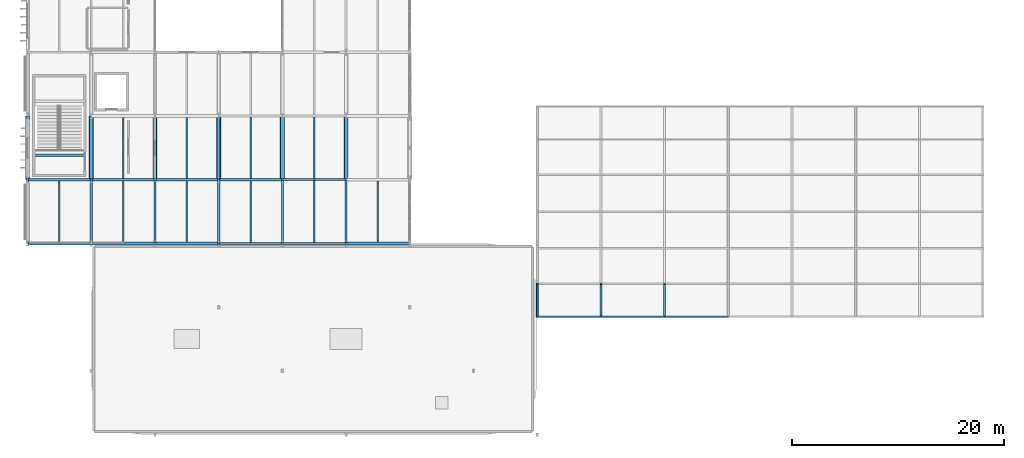
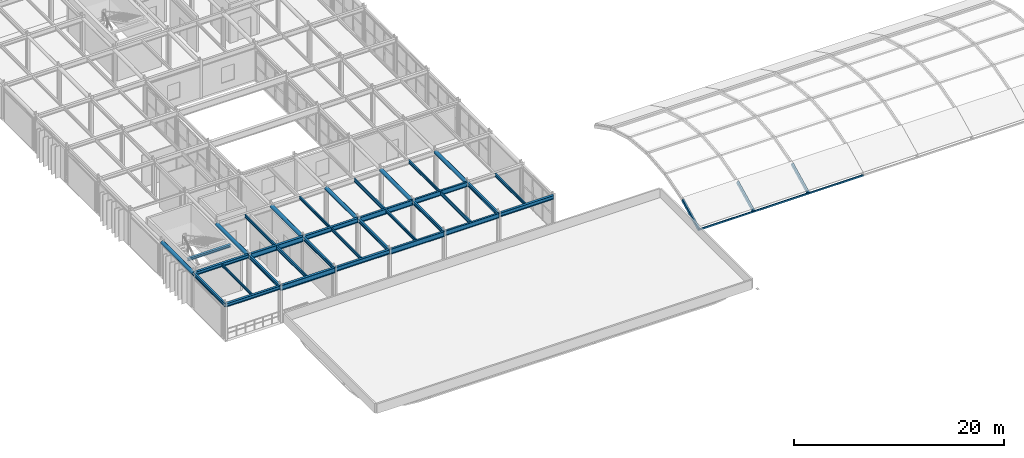
# One storey, part 22 of 84: 37 beams, 3 members.
"""IFC4 building model written with IfcOpenShell, lengths in metres."""

from ifc_helpers import new_model, si_unit, direction, frame, origin, origin_2d, place, context, subcontext, project, spatial, hollow_rectangle, hollow_circle, i_section, extrude, material, material_profile, profile_set, type_object, element, save


model = new_model("IFC4")

# Units and contexts
model_context = context("Model", 3, precision=1e-05, world=origin(), true_north=direction((0.0, 1.0)))
body_context = subcontext(model_context, "Body", "Model", "MODEL_VIEW")
ifc_project = project(units=[si_unit("LENGTHUNIT", "METRE"), si_unit("AREAUNIT", "SQUARE_METRE"), si_unit("VOLUMEUNIT", "CUBIC_METRE"), si_unit("PLANEANGLEUNIT", "RADIAN"), si_unit("MASSUNIT", "GRAM", prefix="KILO")], contexts=[model_context])

# Site, building, storey
site_placement = place(None, origin())
site = spatial("IfcSite", under=ifc_project, at=site_placement, CompositionType="ELEMENT")
building_placement = place(site_placement, origin())
building = spatial("IfcBuilding", under=site, at=building_placement, Name="Varnakota Square Police Headquarters", CompositionType="ELEMENT")
storey_placement = place(building_placement, frame((0.0, 0.0, 13.5)))
storey = spatial("IfcBuildingStorey", under=building, at=storey_placement, Name="L03", CompositionType="ELEMENT", Elevation=13.5)

# Beams
ifc_material = material(Name="Steel IS 2062 Grade 350", Category="steel")
ifc_material_profile_1 = material_profile(ifc_material, hollow_circle(Radius=0.203125, WallThickness=0.01611328125, at=origin_2d()), Name="CHS 406.4x16.0")
ifc_profile_set_1 = profile_set([ifc_material_profile_1], Name="Steel IS 2062 Grade 350")
beam_type_1 = type_object("IfcBeamType", Name="BM-ARC-CHS406", PredefinedType="BEAM", material=ifc_profile_set_1)
for number, where, z_axis, x_axis, name in (
    (1, (6.0, 27.0, 3.996826171875), (0.0, 1.0, 0.0), (-1.0, 0.0, 0.0), "BMG-L03-2596"),
    (2, (12.0, 27.0, 3.996826171875), (0.0, 1.0, 0.0), (-1.0, 0.0, 0.0), "BMG-L03-2610"),
    (3, (18.0, 27.0, 3.996826171875), (0.0, 1.0, 0.0), (-1.0, 0.0, 0.0), "BMG-L03-2620"),
    (4, (24.0, 27.0, 3.996826171875), (0.0, 1.0, 0.0), (-1.0, 0.0, 0.0), "BMG-L03-2630"),
    (5, (30.0, 27.0, 3.996826171875), (0.0, 1.0, 0.0), (-1.0, 0.0, 0.0), "BMG-L03-2635"),
    (6, (36.0, 27.0, 3.996826171875), (0.0, 1.0, 0.0), (-1.0, 0.0, 0.0), "BMG-L03-2645"),
):
    element("IfcBeam", number, at=place(storey_placement, frame(where, z_axis=z_axis, x_axis=x_axis)), inside=storey, type_object=beam_type_1, Name=name, PredefinedType="BEAM", context=body_context, shape_type="SweptSolid", body=[
        extrude(hollow_circle(Radius=0.203125, WallThickness=0.01611328125, at=origin_2d()), origin(), (0.0, 0.0, 1.0), 6.0),
    ])
ifc_material_profile_2 = material_profile(ifc_material, i_section(OverallWidth=0.25, OverallDepth=0.300048828125, WebThickness=0.009521484375, FlangeThickness=0.010498046875, FilletRadius=0.011962890625, at=origin_2d()), Name="ISHB 300")
ifc_profile_set_2 = profile_set([ifc_material_profile_2], Name="Steel IS 2062 Grade 350")
beam_type_2 = type_object("IfcBeamType", Name="BM-ISHB300", PredefinedType="BEAM", material=ifc_profile_set_2)
beam_1_placement = place(storey_placement, frame((6.60009765625, 29.300048828125, 4.050048828125), z_axis=(1.0, 0.0, 0.0), x_axis=(0.0, 1.0, 0.0)))
element("IfcBeam", 7, at=beam_1_placement, inside=storey, type_object=beam_type_2, Name="Stair landing support beam BM-LND-0054", PredefinedType="BEAM", context=body_context, shape_type="SweptSolid", body=[
    extrude(i_section(OverallWidth=0.25, OverallDepth=0.300048828125, WebThickness=0.009521484375, FlangeThickness=0.010498046875, FilletRadius=0.011962890625, at=origin_2d()), origin(), (0.0, 0.0, 1.0), 4.7998046875),
])
ifc_material_profile_3 = material_profile(ifc_material, i_section(OverallWidth=0.25, OverallDepth=0.39990234375, WebThickness=0.010498046875, FlangeThickness=0.0126953125, FilletRadius=0.013916015625, at=origin_2d()), Name="ISHB 400")
ifc_profile_set_3 = profile_set([ifc_material_profile_3], Name="Steel IS 2062 Grade 350")
beam_type_3 = type_object("IfcBeamType", Name="BM-ISHB400", PredefinedType="BEAM", material=ifc_profile_set_3)
for number, where, z_axis, x_axis, name in (
    (8, (6.0, 21.0, 4.0), (1.0, 0.0, 0.0), (0.0, 1.0, 0.0), "BMG-L03-2445"),
    (9, (6.0, 27.0, 4.0), (1.0, 0.0, 0.0), (0.0, 1.0, 0.0), "BMG-L03-2455"),
):
    element("IfcBeam", number, at=place(storey_placement, frame(where, z_axis=z_axis, x_axis=x_axis)), inside=storey, type_object=beam_type_3, Name=name, PredefinedType="BEAM", context=body_context, shape_type="SweptSolid", body=[
        extrude(i_section(OverallWidth=0.25, OverallDepth=0.39990234375, WebThickness=0.010498046875, FlangeThickness=0.0126953125, FilletRadius=0.013916015625, at=origin_2d()), origin(), (0.0, 0.0, 1.0), 6.0),
    ])
ifc_material_profile_4 = material_profile(ifc_material, i_section(OverallWidth=0.25, OverallDepth=0.449951171875, WebThickness=0.01123046875, FlangeThickness=0.013671875, FilletRadius=0.014892578125, at=origin_2d()), Name="ISHB 450")
ifc_profile_set_4 = profile_set([ifc_material_profile_4], Name="Steel IS 2062 Grade 350")
beam_type_4 = type_object("IfcBeamType", Name="BM-ISHB450", PredefinedType="BEAM", material=ifc_profile_set_4)
beam_2_placement = place(storey_placement, frame((36.0, 21.0, 3.97509765625), z_axis=(1.0, 0.0, 0.0), x_axis=(0.0, 1.0, 0.0)))
element("IfcBeam", 10, at=beam_2_placement, inside=storey, type_object=beam_type_4, Name="BMG-L03-2450", PredefinedType="BEAM", context=body_context, shape_type="SweptSolid", body=[
    extrude(i_section(OverallWidth=0.25, OverallDepth=0.449951171875, WebThickness=0.01123046875, FlangeThickness=0.013671875, FilletRadius=0.014892578125, at=origin_2d()), origin(), (0.0, 0.0, 1.0), 6.0),
])
ifc_material_profile_5 = material_profile(ifc_material, i_section(OverallWidth=0.139892578125, OverallDepth=0.300048828125, WebThickness=0.0078125, FlangeThickness=0.01318359375, FilletRadius=0.013916015625, at=origin_2d()), Name="ISMB 300")
ifc_profile_set_5 = profile_set([ifc_material_profile_5], Name="Steel IS 2062 Grade 350")
beam_type_5 = type_object("IfcBeamType", Name="BM-ISMB300", PredefinedType="JOIST", material=ifc_profile_set_5)
for number, where, z_axis, x_axis, name in (
    (11, (9.0, 21.123046875, 4.050048828125), (0.0, 1.0, 0.0), (-1.0, 0.0, 0.0), "BMG-L03-2758"),
    (12, (21.0, 27.123046875, 4.050048828125), (0.0, 1.0, 0.0), (-1.0, 0.0, 0.0), "BMG-L03-2774"),
):
    element("IfcBeam", number, at=place(storey_placement, frame(where, z_axis=z_axis, x_axis=x_axis)), inside=storey, type_object=beam_type_5, Name=name, PredefinedType="JOIST", context=body_context, shape_type="SweptSolid", body=[
        extrude(i_section(OverallWidth=0.139892578125, OverallDepth=0.300048828125, WebThickness=0.0078125, FlangeThickness=0.01318359375, FilletRadius=0.013916015625, at=origin_2d()), origin(), (0.0, 0.0, 1.0), 5.75390625),
    ])
beam_3_placement = place(storey_placement, frame((27.0, 21.10302734375, 4.050048828125), z_axis=(0.0, 1.0, 0.0), x_axis=(-1.0, 0.0, 0.0)))
element("IfcBeam", 13, at=beam_3_placement, inside=storey, type_object=beam_type_5, Name="BMG-L03-2777", PredefinedType="JOIST", context=body_context, shape_type="SweptSolid", body=[
    extrude(i_section(OverallWidth=0.139892578125, OverallDepth=0.300048828125, WebThickness=0.0078125, FlangeThickness=0.01318359375, FilletRadius=0.013916015625, at=origin_2d()), origin(), (0.0, 0.0, 1.0), 5.7939453125),
])
ifc_material_profile_6 = material_profile(ifc_material, i_section(OverallWidth=0.139892578125, OverallDepth=0.35009765625, WebThickness=0.008056640625, FlangeThickness=0.01416015625, FilletRadius=0.013916015625, at=origin_2d()), Name="ISMB 350")
ifc_profile_set_6 = profile_set([ifc_material_profile_6], Name="Steel IS 2062 Grade 350")
beam_type_6 = type_object("IfcBeamType", Name="BM-ISMB350", PredefinedType="JOIST", material=ifc_profile_set_6)
for number, where, z_axis, x_axis, name in (
    (14, (15.0, 27.123046875, 4.02490234375), (0.0, 1.0, 0.0), (-1.0, 0.0, 0.0), "BMG-L03-2766"),
    (15, (21.0, 21.123046875, 4.02490234375), (0.0, 1.0, 0.0), (-1.0, 0.0, 0.0), "BMG-L03-2773"),
):
    element("IfcBeam", number, at=place(storey_placement, frame(where, z_axis=z_axis, x_axis=x_axis)), inside=storey, type_object=beam_type_6, Name=name, PredefinedType="JOIST", context=body_context, shape_type="SweptSolid", body=[
        extrude(i_section(OverallWidth=0.139892578125, OverallDepth=0.35009765625, WebThickness=0.008056640625, FlangeThickness=0.01416015625, FilletRadius=0.013916015625, at=origin_2d()), origin(), (0.0, 0.0, 1.0), 5.75390625),
    ])
beam_4_placement = place(storey_placement, frame((33.0, 27.093017578125, 4.02490234375), z_axis=(0.0, 1.0, 0.0), x_axis=(-1.0, 0.0, 0.0)))
element("IfcBeam", 16, at=beam_4_placement, inside=storey, type_object=beam_type_6, Name="BMG-L03-2783", PredefinedType="JOIST", context=body_context, shape_type="SweptSolid", body=[
    extrude(i_section(OverallWidth=0.139892578125, OverallDepth=0.35009765625, WebThickness=0.008056640625, FlangeThickness=0.01416015625, FilletRadius=0.013916015625, at=origin_2d()), origin(), (0.0, 0.0, 1.0), 5.81396484375),
])
beam_5_placement = place(storey_placement, frame((39.0, 21.123046875, 4.02490234375), z_axis=(0.0, 1.0, 0.0), x_axis=(-1.0, 0.0, 0.0)))
element("IfcBeam", 17, at=beam_5_placement, inside=storey, type_object=beam_type_6, Name="BMG-L03-2790", PredefinedType="JOIST", context=body_context, shape_type="SweptSolid", body=[
    extrude(i_section(OverallWidth=0.139892578125, OverallDepth=0.35009765625, WebThickness=0.008056640625, FlangeThickness=0.01416015625, FilletRadius=0.013916015625, at=origin_2d()), origin(), (0.0, 0.0, 1.0), 5.75390625),
])
ifc_material_profile_7 = material_profile(ifc_material, i_section(OverallWidth=0.139892578125, OverallDepth=0.39990234375, WebThickness=0.0087890625, FlangeThickness=0.01611328125, FilletRadius=0.013916015625, at=origin_2d()), Name="ISMB 400")
ifc_profile_set_7 = profile_set([ifc_material_profile_7], Name="Steel IS 2062 Grade 350")
beam_type_7 = type_object("IfcBeamType", Name="BM-ISMB400", PredefinedType="JOIST", material=ifc_profile_set_7)
beam_6_placement = place(storey_placement, frame((15.0, 21.123046875, 4.0), z_axis=(0.0, 1.0, 0.0), x_axis=(-1.0, 0.0, 0.0)))
element("IfcBeam", 18, at=beam_6_placement, inside=storey, type_object=beam_type_7, Name="BMG-L03-2765", PredefinedType="JOIST", context=body_context, shape_type="SweptSolid", body=[
    extrude(i_section(OverallWidth=0.139892578125, OverallDepth=0.39990234375, WebThickness=0.0087890625, FlangeThickness=0.01611328125, FilletRadius=0.013916015625, at=origin_2d()), origin(), (0.0, 0.0, 1.0), 5.75390625),
])
beam_7_placement = place(storey_placement, frame((27.0, 27.10302734375, 4.0), z_axis=(0.0, 1.0, 0.0), x_axis=(-1.0, 0.0, 0.0)))
element("IfcBeam", 19, at=beam_7_placement, inside=storey, type_object=beam_type_7, Name="BMG-L03-2778", PredefinedType="JOIST", context=body_context, shape_type="SweptSolid", body=[
    extrude(i_section(OverallWidth=0.139892578125, OverallDepth=0.39990234375, WebThickness=0.0087890625, FlangeThickness=0.01611328125, FilletRadius=0.013916015625, at=origin_2d()), origin(), (0.0, 0.0, 1.0), 5.7939453125),
])
beam_8_placement = place(storey_placement, frame((33.0, 21.093017578125, 4.0), z_axis=(0.0, 1.0, 0.0), x_axis=(-1.0, 0.0, 0.0)))
element("IfcBeam", 20, at=beam_8_placement, inside=storey, type_object=beam_type_7, Name="BMG-L03-2782", PredefinedType="JOIST", context=body_context, shape_type="SweptSolid", body=[
    extrude(i_section(OverallWidth=0.139892578125, OverallDepth=0.39990234375, WebThickness=0.0087890625, FlangeThickness=0.01611328125, FilletRadius=0.013916015625, at=origin_2d()), origin(), (0.0, 0.0, 1.0), 5.81396484375),
])
ifc_material_profile_8 = material_profile(ifc_material, i_section(OverallWidth=0.18994140625, OverallDepth=0.550048828125, WebThickness=0.01123046875, FlangeThickness=0.019287109375, FilletRadius=0.01806640625, at=origin_2d()), Name="ISMB 550")
ifc_profile_set_8 = profile_set([ifc_material_profile_8], Name="Steel IS 2062 Grade 350")
beam_type_8 = type_object("IfcBeamType", Name="BM-ISMB550", PredefinedType="BEAM", material=ifc_profile_set_8)
for number, where, z_axis, x_axis, name in (
    (21, (30.0, 21.0, 3.925048828125), (1.0, 0.0, 0.0), (0.0, 1.0, 0.0), "BMG-L03-2449"),
    (22, (30.0, 27.0, 3.925048828125), (1.0, 0.0, 0.0), (0.0, 1.0, 0.0), "BMG-L03-2459"),
):
    element("IfcBeam", number, at=place(storey_placement, frame(where, z_axis=z_axis, x_axis=x_axis)), inside=storey, type_object=beam_type_8, Name=name, PredefinedType="BEAM", context=body_context, shape_type="SweptSolid", body=[
        extrude(i_section(OverallWidth=0.18994140625, OverallDepth=0.550048828125, WebThickness=0.01123046875, FlangeThickness=0.019287109375, FilletRadius=0.01806640625, at=origin_2d()), origin(), (0.0, 0.0, 1.0), 6.0),
    ])
ifc_material_profile_9 = material_profile(ifc_material, i_section(OverallWidth=0.2099609375, OverallDepth=0.60009765625, WebThickness=0.011962890625, FlangeThickness=0.020751953125, FilletRadius=0.02001953125, at=origin_2d()), Name="ISMB 600")
ifc_profile_set_9 = profile_set([ifc_material_profile_9], Name="Steel IS 2062 Grade 350")
beam_type_9 = type_object("IfcBeamType", Name="BM-ISMB600", PredefinedType="BEAM", material=ifc_profile_set_9)
for number, where, z_axis, x_axis, name in (
    (23, (24.0, 21.0, 3.89990234375), (1.0, 0.0, 0.0), (0.0, 1.0, 0.0), "BMG-L03-2448"),
    (24, (24.0, 27.0, 3.89990234375), (1.0, 0.0, 0.0), (0.0, 1.0, 0.0), "BMG-L03-2458"),
):
    element("IfcBeam", number, at=place(storey_placement, frame(where, z_axis=z_axis, x_axis=x_axis)), inside=storey, type_object=beam_type_9, Name=name, PredefinedType="BEAM", context=body_context, shape_type="SweptSolid", body=[
        extrude(i_section(OverallWidth=0.2099609375, OverallDepth=0.60009765625, WebThickness=0.011962890625, FlangeThickness=0.020751953125, FilletRadius=0.02001953125, at=origin_2d()), origin(), (0.0, 0.0, 1.0), 6.0),
    ])
ifc_material_profile_10 = material_profile(ifc_material, i_section(OverallWidth=0.199951171875, OverallDepth=0.39990234375, WebThickness=0.008544921875, FlangeThickness=0.012939453125, FilletRadius=0.012939453125, at=origin_2d()), Name="ISWB 400")
ifc_profile_set_10 = profile_set([ifc_material_profile_10], Name="Steel IS 2062 Grade 350")
beam_type_10 = type_object("IfcBeamType", Name="BM-ISWB400", PredefinedType="BEAM", material=ifc_profile_set_10)
for number, where, z_axis, x_axis, name in (
    (25, (6.0, 21.0, 4.0), (0.0, 1.0, 0.0), (-1.0, 0.0, 0.0), "BMG-L03-2595"),
    (26, (12.0, 21.0, 4.0), (0.0, 1.0, 0.0), (-1.0, 0.0, 0.0), "BMG-L03-2609"),
    (27, (18.0, 21.0, 4.0), (0.0, 1.0, 0.0), (-1.0, 0.0, 0.0), "BMG-L03-2619"),
    (28, (24.0, 21.0, 4.0), (0.0, 1.0, 0.0), (-1.0, 0.0, 0.0), "BMG-L03-2629"),
    (29, (30.0, 21.0, 4.0), (0.0, 1.0, 0.0), (-1.0, 0.0, 0.0), "BMG-L03-2634"),
    (30, (36.0, 21.0, 4.0), (0.0, 1.0, 0.0), (-1.0, 0.0, 0.0), "BMG-L03-2644"),
):
    element("IfcBeam", number, at=place(storey_placement, frame(where, z_axis=z_axis, x_axis=x_axis)), inside=storey, type_object=beam_type_10, Name=name, PredefinedType="BEAM", context=body_context, shape_type="SweptSolid", body=[
        extrude(i_section(OverallWidth=0.199951171875, OverallDepth=0.39990234375, WebThickness=0.008544921875, FlangeThickness=0.012939453125, FilletRadius=0.012939453125, at=origin_2d()), origin(), (0.0, 0.0, 1.0), 6.0),
    ])
ifc_material_profile_11 = material_profile(ifc_material, i_section(OverallWidth=0.25, OverallDepth=0.5, WebThickness=0.010009765625, FlangeThickness=0.0146484375, FilletRadius=0.014892578125, at=origin_2d()), Name="ISWB 500")
ifc_profile_set_11 = profile_set([ifc_material_profile_11], Name="Steel IS 2062 Grade 350")
beam_type_11 = type_object("IfcBeamType", Name="BM-ISWB500", PredefinedType="BEAM", material=ifc_profile_set_11)
for number, where, z_axis, x_axis, name in (
    (31, (18.0, 21.0, 3.949951171875), (1.0, 0.0, 0.0), (0.0, 1.0, 0.0), "BMG-L03-2447"),
    (32, (18.0, 27.0, 3.949951171875), (1.0, 0.0, 0.0), (0.0, 1.0, 0.0), "BMG-L03-2457"),
):
    element("IfcBeam", number, at=place(storey_placement, frame(where, z_axis=z_axis, x_axis=x_axis)), inside=storey, type_object=beam_type_11, Name=name, PredefinedType="BEAM", context=body_context, shape_type="SweptSolid", body=[
        extrude(i_section(OverallWidth=0.25, OverallDepth=0.5, WebThickness=0.010009765625, FlangeThickness=0.0146484375, FilletRadius=0.014892578125, at=origin_2d()), origin(), (0.0, 0.0, 1.0), 6.0),
    ])
ifc_material_profile_12 = material_profile(ifc_material, i_section(OverallWidth=0.25, OverallDepth=0.60009765625, WebThickness=0.01171875, FlangeThickness=0.023681640625, FilletRadius=0.01708984375, at=origin_2d()), Name="ISWB 600")
ifc_profile_set_12 = profile_set([ifc_material_profile_12], Name="Steel IS 2062 Grade 350")
beam_type_12 = type_object("IfcBeamType", Name="BM-ISWB600", PredefinedType="BEAM", material=ifc_profile_set_12)
for number, where, z_axis, x_axis, name in (
    (33, (12.0, 21.0, 3.89990234375), (1.0, 0.0, 0.0), (0.0, 1.0, 0.0), "BMG-L03-2446"),
    (34, (12.0, 27.0, 3.89990234375), (1.0, 0.0, 0.0), (0.0, 1.0, 0.0), "BMG-L03-2456"),
):
    element("IfcBeam", number, at=place(storey_placement, frame(where, z_axis=z_axis, x_axis=x_axis)), inside=storey, type_object=beam_type_12, Name=name, PredefinedType="BEAM", context=body_context, shape_type="SweptSolid", body=[
        extrude(i_section(OverallWidth=0.25, OverallDepth=0.60009765625, WebThickness=0.01171875, FlangeThickness=0.023681640625, FilletRadius=0.01708984375, at=origin_2d()), origin(), (0.0, 0.0, 1.0), 6.0),
    ])
ifc_material_profile_13 = material_profile(ifc_material, hollow_rectangle(XDim=0.199951171875, YDim=0.35009765625, WallThickness=0.011962890625, InnerFilletRadius=0.011962890625, OuterFilletRadius=0.02392578125, at=origin_2d()), Name="RHS 350x200x12")
ifc_profile_set_13 = profile_set([ifc_material_profile_13], Name="Steel IS 2062 Grade 350")
beam_type_13 = type_object("IfcBeamType", Name="BM-VR-RHS350", PredefinedType="BEAM", material=ifc_profile_set_13)
for number, where, z_axis, x_axis, name in (
    (35, (54.0, 14.097900390625, 0.11328125), (0.0, 0.892214040756, 0.451612782677), (-1.0, 0.0, 0.0), "Barrel vault arch rib chord VR-V1-R01-S03"),
    (36, (60.0, 14.097900390625, 0.11328125), (0.0, 0.892214040756, 0.451612782677), (-1.0, 0.0, 0.0), "Barrel vault arch rib chord VR-V1-R02-S03"),
    (37, (66.0, 14.097900390625, 0.11328125), (0.0, 0.892214040756, 0.451612782677), (-1.0, 0.0, 0.0), "Barrel vault arch rib chord VR-V1-R03-S03"),
):
    element("IfcBeam", number, at=place(storey_placement, frame(where, z_axis=z_axis, x_axis=x_axis)), inside=storey, type_object=beam_type_13, Name=name, PredefinedType="BEAM", context=body_context, shape_type="SweptSolid", body=[
        extrude(hollow_rectangle(XDim=0.199951171875, YDim=0.35009765625, WallThickness=0.011962890625, InnerFilletRadius=0.011962890625, OuterFilletRadius=0.02392578125, at=origin_2d()), origin(), (0.0, 0.0, 1.0), 3.48095703125),
    ])

# Members
ifc_material_profile_14 = material_profile(ifc_material, hollow_rectangle(XDim=0.10009765625, YDim=0.199951171875, WallThickness=0.008056640625, InnerFilletRadius=0.008056640625, OuterFilletRadius=0.01611328125, at=origin_2d()), Name="RHS 200x100x8")
ifc_profile_set_14 = profile_set([ifc_material_profile_14], Name="Steel IS 2062 Grade 350")
member_type = type_object("IfcMemberType", Name="MEM-PUR-RHS200", PredefinedType="PURLIN", material=ifc_profile_set_14)
for number, where, z_axis, x_axis, name in (
    (38, (54.0, 14.097900390625, 0.144287109375), (1.0, 0.0, 0.0), (0.0, 1.0, 0.0), "Vault roof purlin V1-B01-N02"),
    (39, (60.0, 14.097900390625, 0.144287109375), (1.0, 0.0, 0.0), (0.0, 1.0, 0.0), "Vault roof purlin V1-B02-N02"),
    (40, (66.0, 14.097900390625, 0.144287109375), (1.0, 0.0, 0.0), (0.0, 1.0, 0.0), "Vault roof purlin V1-B03-N02"),
):
    element("IfcMember", number, at=place(storey_placement, frame(where, z_axis=z_axis, x_axis=x_axis)), inside=storey, type_object=member_type, Name=name, PredefinedType="PURLIN", context=body_context, shape_type="SweptSolid", body=[
        extrude(hollow_rectangle(XDim=0.10009765625, YDim=0.199951171875, WallThickness=0.008056640625, InnerFilletRadius=0.008056640625, OuterFilletRadius=0.01611328125, at=origin_2d()), origin(), (0.0, 0.0, 1.0), 6.0),
    ])

save(model, "model.ifc")
